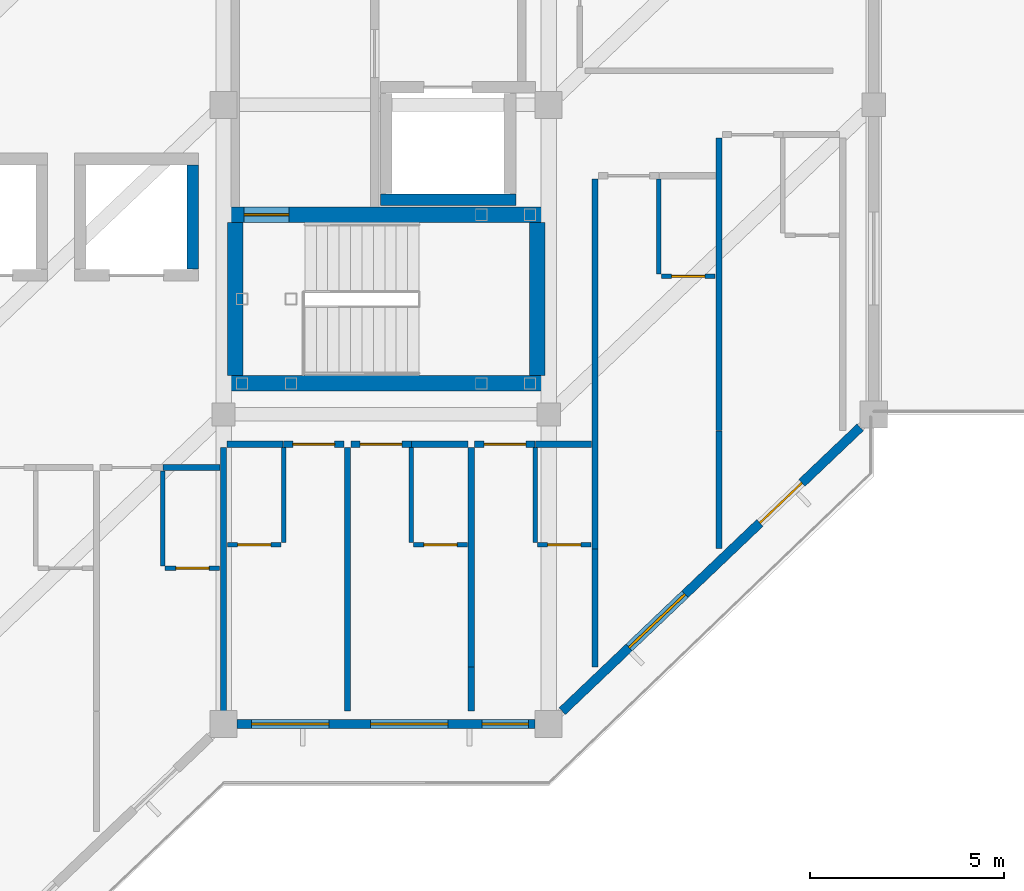
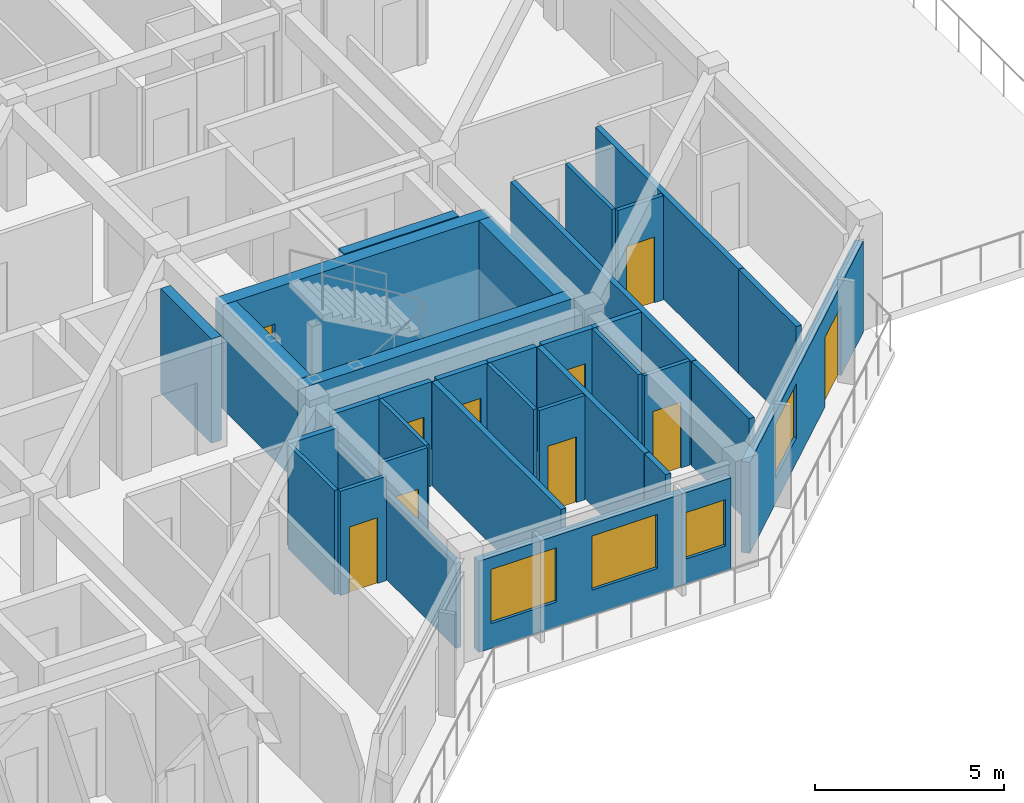
# One storey, part 9 of 15: 33 walls, 10 doors, 4 windows, 14 openings.
"""IFC4 building model written with IfcOpenShell, lengths in metres."""

from ifc_helpers import new_model, si_unit, direction, frame, frame_2d, origin, place, context, subcontext, project, spatial, rectangle, extrude, material, layer, layer_set, type_object, element, fill, save


model = new_model("IFC4")

# Units and contexts
model_context = context("Model", 3, precision=1e-05, world=origin(), true_north=direction((0.0, 1.0)))
body_context = subcontext(model_context, "Body", "Model", "MODEL_VIEW")
ifc_project = project(units=[si_unit("LENGTHUNIT", "METRE"), si_unit("AREAUNIT", "SQUARE_METRE"), si_unit("VOLUMEUNIT", "CUBIC_METRE"), si_unit("PLANEANGLEUNIT", "RADIAN"), si_unit("MASSUNIT", "GRAM", prefix="KILO")], contexts=[model_context])

# Site, building, storey
site_placement = place(None, origin())
site = spatial("IfcSite", under=ifc_project, at=site_placement, CompositionType="ELEMENT")
building_placement = place(site_placement, origin())
building = spatial("IfcBuilding", under=site, at=building_placement, Name="Naruveol Harbour Congress Hotel", CompositionType="ELEMENT")
storey_placement = place(building_placement, frame((0.0, 0.0, 36.0)))
storey = spatial("IfcBuildingStorey", under=building, at=storey_placement, Name="L08", CompositionType="ELEMENT", Elevation=36.0)

# Wall
ifc_material_1 = material(Name="Moisture-Resistant Gypsum Partition", Category="gypsum")
ifc_layer_1 = layer(ifc_material_1, 0.114990234375)
ifc_layer_set_1 = layer_set([ifc_layer_1], Name="Moisture-Resistant Gypsum Partition")
wall_type_1 = type_object("IfcWallType", Name="BATHROOM MOISTURE PARTITION WALL 115", PredefinedType="PARTITIONING", material=ifc_layer_set_1)
wall_1_placement = place(storey_placement, frame((149.6298828125, 12.090087890625, 0.0), z_axis=(0.0, 0.0, 1.0), x_axis=(0.0, 1.0, 0.0)))
element("IfcWall", 1, at=wall_1_placement, inside=storey, type_object=wall_type_1, Name="Bathroom west wall 0930 PW-115", PredefinedType="PARTITIONING", context=body_context, shape_type="SweptSolid", body=[
    extrude(rectangle(XDim=2.449951171875, YDim=0.114990234375, at=frame_2d((1.22509765625, 0.0))), origin(), (0.0, 0.0, 1.0), 3.364990234375),
])

# Wall, opening, door
wall_2_placement = place(storey_placement, frame((149.68994140625, 12.030029296875, 0.0), z_axis=(0.0, 0.0, 1.0), x_axis=(1.0, 0.0, 0.0)))
wall_2 = element("IfcWall", 2, at=wall_2_placement, inside=storey, type_object=wall_type_1, Name="Bathroom south wall 0930 PW-115", PredefinedType="PARTITIONING", context=body_context, shape_type="SweptSolid", body=[
    extrude(rectangle(XDim=1.41015625, YDim=0.114990234375, at=frame_2d((0.705078125, 0.0))), origin(), (0.0, 0.0, 1.0), 3.364990234375),
])
opening_1_placement = place(wall_2_placement, frame((0.27490234375, 0.0, 0.0)))
opening_1 = element("IfcOpeningElement", 3, at=opening_1_placement, cuts=wall_2, Name="Opening BD-RM0930", PredefinedType="OPENING", context=body_context, shape_type="SweptSolid", body=[
    extrude(rectangle(XDim=0.860107421875, YDim=2.1201171875, at=frame_2d((0.43017578125, 1.06005859375))), frame((0.0, 0.0673828125, 0.0), z_axis=(0.0, -1.0, 0.0), x_axis=(1.0, 0.0, 0.0)), (0.0, 0.0, 1.0), 0.135009765625),
])
ifc_material_2 = material(Name="Timber & Steel Acoustic Leaf", Category="steel")
door_type_1 = type_object("IfcDoorType", Name="GUEST BATHROOM DOOR 860X2120", OperationType="NOTDEFINED", PredefinedType="DOOR", material=ifc_material_2)
door_1_placement = place(opening_1_placement, origin())
door_1 = element("IfcDoor", 4, at=door_1_placement, inside=storey, type_object=door_type_1, Name="Bathroom Door 0930", OperationType="SINGLE_SWING_RIGHT", OverallHeight=2.1201171875, OverallWidth=0.860107421875, PredefinedType="DOOR", context=body_context, shape_type="SweptSolid", body=[
    extrude(rectangle(XDim=0.860107421875, YDim=2.1201171875, at=frame_2d((0.43017578125, 1.06005859375))), frame((0.0, 0.02490234375, 0.0), z_axis=(0.0, -1.0, 0.0), x_axis=(1.0, 0.0, 0.0)), (0.0, 0.0, 1.0), 0.050048828125),
])
fill(opening_1, door_1)

# Wall
wall_3_placement = place(storey_placement, frame((152.75, 12.68994140625, 0.0), z_axis=(0.0, 0.0, 1.0), x_axis=(0.0, 1.0, 0.0)))
element("IfcWall", 5, at=wall_3_placement, inside=storey, type_object=wall_type_1, Name="Bathroom east wall 0931 PW-115", PredefinedType="PARTITIONING", context=body_context, shape_type="SweptSolid", body=[
    extrude(rectangle(XDim=2.449951171875, YDim=0.114990234375, at=frame_2d((1.22509765625, 0.0))), origin(), (0.0, 0.0, 1.0), 3.364990234375),
])

# Wall, opening, door
wall_4_placement = place(storey_placement, frame((151.300048828125, 12.6298828125, 0.0), z_axis=(0.0, 0.0, 1.0), x_axis=(1.0, 0.0, 0.0)))
wall_4 = element("IfcWall", 6, at=wall_4_placement, inside=storey, type_object=wall_type_1, Name="Bathroom south wall 0931 PW-115", PredefinedType="PARTITIONING", context=body_context, shape_type="SweptSolid", body=[
    extrude(rectangle(XDim=1.389892578125, YDim=0.114990234375, at=frame_2d((0.69482421875, 0.0))), origin(), (0.0, 0.0, 1.0), 3.364990234375),
])
opening_2_placement = place(wall_4_placement, frame((0.264892578125, 0.0, 0.0)))
opening_2 = element("IfcOpeningElement", 7, at=opening_2_placement, cuts=wall_4, Name="Opening BD-RM0931", PredefinedType="OPENING", context=body_context, shape_type="SweptSolid", body=[
    extrude(rectangle(XDim=0.860107421875, YDim=2.1201171875, at=frame_2d((0.43017578125, 1.06005859375))), frame((0.0, 0.0673828125, 0.0), z_axis=(0.0, -1.0, 0.0), x_axis=(1.0, 0.0, 0.0)), (0.0, 0.0, 1.0), 0.135009765625),
])
door_2_placement = place(opening_2_placement, origin())
door_2 = element("IfcDoor", 8, at=door_2_placement, inside=storey, type_object=door_type_1, Name="Bathroom Door 0931", OperationType="SINGLE_SWING_RIGHT", OverallHeight=2.1201171875, OverallWidth=0.860107421875, PredefinedType="DOOR", context=body_context, shape_type="SweptSolid", body=[
    extrude(rectangle(XDim=0.860107421875, YDim=2.1201171875, at=frame_2d((0.43017578125, 1.06005859375))), frame((0.0, 0.02490234375, 0.0), z_axis=(0.0, -1.0, 0.0), x_axis=(1.0, 0.0, 0.0)), (0.0, 0.0, 1.0), 0.050048828125),
])
fill(opening_2, door_2)

# Wall
wall_5_placement = place(storey_placement, frame((156.050048828125, 12.68994140625, 0.0), z_axis=(0.0, 0.0, 1.0), x_axis=(0.0, 1.0, 0.0)))
element("IfcWall", 9, at=wall_5_placement, inside=storey, type_object=wall_type_1, Name="Bathroom west wall 0932 PW-115", PredefinedType="PARTITIONING", context=body_context, shape_type="SweptSolid", body=[
    extrude(rectangle(XDim=2.449951171875, YDim=0.114990234375, at=frame_2d((1.22509765625, 0.0))), origin(), (0.0, 0.0, 1.0), 3.364990234375),
])

# Wall, opening, door
wall_6_placement = place(storey_placement, frame((156.110107421875, 12.6298828125, 0.0), z_axis=(0.0, 0.0, 1.0), x_axis=(1.0, 0.0, 0.0)))
wall_6 = element("IfcWall", 10, at=wall_6_placement, inside=storey, type_object=wall_type_1, Name="Bathroom south wall 0932 PW-115", PredefinedType="PARTITIONING", context=body_context, shape_type="SweptSolid", body=[
    extrude(rectangle(XDim=1.389892578125, YDim=0.114990234375, at=frame_2d((0.69482421875, 0.0))), origin(), (0.0, 0.0, 1.0), 3.364990234375),
])
opening_3_placement = place(wall_6_placement, frame((0.264892578125, 0.0, 0.0)))
opening_3 = element("IfcOpeningElement", 11, at=opening_3_placement, cuts=wall_6, Name="Opening BD-RM0932", PredefinedType="OPENING", context=body_context, shape_type="SweptSolid", body=[
    extrude(rectangle(XDim=0.860107421875, YDim=2.1201171875, at=frame_2d((0.43017578125, 1.06005859375))), frame((0.0, 0.0673828125, 0.0), z_axis=(0.0, -1.0, 0.0), x_axis=(1.0, 0.0, 0.0)), (0.0, 0.0, 1.0), 0.135009765625),
])
door_3_placement = place(opening_3_placement, origin())
door_3 = element("IfcDoor", 12, at=door_3_placement, inside=storey, type_object=door_type_1, Name="Bathroom Door 0932", OperationType="SINGLE_SWING_RIGHT", OverallHeight=2.1201171875, OverallWidth=0.860107421875, PredefinedType="DOOR", context=body_context, shape_type="SweptSolid", body=[
    extrude(rectangle(XDim=0.860107421875, YDim=2.1201171875, at=frame_2d((0.43017578125, 1.06005859375))), frame((0.0, 0.02490234375, 0.0), z_axis=(0.0, -1.0, 0.0), x_axis=(1.0, 0.0, 0.0)), (0.0, 0.0, 1.0), 0.050048828125),
])
fill(opening_3, door_3)

# Wall
wall_7_placement = place(storey_placement, frame((159.25, 12.68994140625, 0.0), z_axis=(0.0, 0.0, 1.0), x_axis=(0.0, 1.0, 0.0)))
element("IfcWall", 13, at=wall_7_placement, inside=storey, type_object=wall_type_1, Name="Bathroom west wall 0933 PW-115", PredefinedType="PARTITIONING", context=body_context, shape_type="SweptSolid", body=[
    extrude(rectangle(XDim=2.449951171875, YDim=0.114990234375, at=frame_2d((1.22509765625, 0.0))), origin(), (0.0, 0.0, 1.0), 3.364990234375),
])

# Wall, opening, door
wall_8_placement = place(storey_placement, frame((159.31005859375, 12.6298828125, 0.0), z_axis=(0.0, 0.0, 1.0), x_axis=(1.0, 0.0, 0.0)))
wall_8 = element("IfcWall", 14, at=wall_8_placement, inside=storey, type_object=wall_type_1, Name="Bathroom south wall 0933 PW-115", PredefinedType="PARTITIONING", context=body_context, shape_type="SweptSolid", body=[
    extrude(rectangle(XDim=1.389892578125, YDim=0.114990234375, at=frame_2d((0.69482421875, 0.0))), origin(), (0.0, 0.0, 1.0), 3.364990234375),
])
opening_4_placement = place(wall_8_placement, frame((0.264892578125, 0.0, 0.0)))
opening_4 = element("IfcOpeningElement", 15, at=opening_4_placement, cuts=wall_8, Name="Opening BD-RM0933", PredefinedType="OPENING", context=body_context, shape_type="SweptSolid", body=[
    extrude(rectangle(XDim=0.860107421875, YDim=2.1201171875, at=frame_2d((0.43017578125, 1.06005859375))), frame((0.0, 0.0673828125, 0.0), z_axis=(0.0, -1.0, 0.0), x_axis=(1.0, 0.0, 0.0)), (0.0, 0.0, 1.0), 0.135009765625),
])
door_4_placement = place(opening_4_placement, origin())
door_4 = element("IfcDoor", 16, at=door_4_placement, inside=storey, type_object=door_type_1, Name="Bathroom Door 0933", OperationType="SINGLE_SWING_RIGHT", OverallHeight=2.1201171875, OverallWidth=0.860107421875, PredefinedType="DOOR", context=body_context, shape_type="SweptSolid", body=[
    extrude(rectangle(XDim=0.860107421875, YDim=2.1201171875, at=frame_2d((0.43017578125, 1.06005859375))), frame((0.0, 0.02490234375, 0.0), z_axis=(0.0, -1.0, 0.0), x_axis=(1.0, 0.0, 0.0)), (0.0, 0.0, 1.0), 0.050048828125),
])
fill(opening_4, door_4)

# Wall
wall_9_placement = place(storey_placement, frame((162.449951171875, 19.6298828125, 0.0), z_axis=(0.0, 0.0, 1.0), x_axis=(0.0, 1.0, 0.0)))
element("IfcWall", 17, at=wall_9_placement, inside=storey, type_object=wall_type_1, Name="Bathroom west wall 0934 PW-115", PredefinedType="PARTITIONING", context=body_context, shape_type="SweptSolid", body=[
    extrude(rectangle(XDim=2.4501953125, YDim=0.114990234375, at=frame_2d((1.22509765625, 0.0))), origin(), (0.0, 0.0, 1.0), 3.364990234375),
])

# Wall, opening, door
wall_10_placement = place(storey_placement, frame((162.510009765625, 19.570068359375, 0.0), z_axis=(0.0, 0.0, 1.0), x_axis=(1.0, 0.0, 0.0)))
wall_10 = element("IfcWall", 18, at=wall_10_placement, inside=storey, type_object=wall_type_1, Name="Bathroom south wall 0934 PW-115", PredefinedType="PARTITIONING", context=body_context, shape_type="SweptSolid", body=[
    extrude(rectangle(XDim=1.389892578125, YDim=0.114990234375, at=frame_2d((0.69482421875, 0.0))), origin(), (0.0, 0.0, 1.0), 3.364990234375),
])
opening_5_placement = place(wall_10_placement, frame((0.264892578125, 0.0, 0.0)))
opening_5 = element("IfcOpeningElement", 19, at=opening_5_placement, cuts=wall_10, Name="Opening BD-RM0934", PredefinedType="OPENING", context=body_context, shape_type="SweptSolid", body=[
    extrude(rectangle(XDim=0.860107421875, YDim=2.1201171875, at=frame_2d((0.43017578125, 1.06005859375))), frame((0.0, 0.0673828125, 0.0), z_axis=(0.0, -1.0, 0.0), x_axis=(1.0, 0.0, 0.0)), (0.0, 0.0, 1.0), 0.135009765625),
])
door_5_placement = place(opening_5_placement, origin())
door_5 = element("IfcDoor", 20, at=door_5_placement, inside=storey, type_object=door_type_1, Name="Bathroom Door 0934", OperationType="SINGLE_SWING_RIGHT", OverallHeight=2.1201171875, OverallWidth=0.860107421875, PredefinedType="DOOR", context=body_context, shape_type="SweptSolid", body=[
    extrude(rectangle(XDim=0.860107421875, YDim=2.1201171875, at=frame_2d((0.43017578125, 1.06005859375))), frame((0.0, 0.02490234375, 0.0), z_axis=(0.0, -1.0, 0.0), x_axis=(1.0, 0.0, 0.0)), (0.0, 0.0, 1.0), 0.050048828125),
])
fill(opening_5, door_5)

# Walls
ifc_material_3 = material(Name="Autoclaved Aerated Concrete Block", Category="concrete")
ifc_layer_2 = layer(ifc_material_3, 0.159912109375)
ifc_layer_set_2 = layer_set([ifc_layer_2], Name="Autoclaved Aerated Concrete Block")
wall_type_2 = type_object("IfcWallType", Name="HOTEL PARTY AND CORRIDOR WALL 160 EI60", PredefinedType="PARTITIONING", material=ifc_layer_set_2)
wall_11_placement = place(storey_placement, frame((149.639892578125, 14.6298828125, 0.0), z_axis=(0.0, 0.0, 1.0), x_axis=(1.0, 0.0, 0.0)))
element("IfcWall", 21, at=wall_11_placement, inside=storey, type_object=wall_type_2, Name="Corridor wall 0930B PW-160", PredefinedType="PARTITIONING", context=body_context, shape_type="SweptSolid", body=[
    extrude(rectangle(XDim=1.47021484375, YDim=0.159912109375, at=frame_2d((0.735107421875, 0.0))), origin(), (0.0, 0.0, 1.0), 3.364990234375),
])
wall_12_placement = place(storey_placement, frame((151.2900390625, 15.22998046875, 0.0), z_axis=(0.0, 0.0, 1.0), x_axis=(1.0, 0.0, 0.0)))
element("IfcWall", 22, at=wall_12_placement, inside=storey, type_object=wall_type_2, Name="Corridor wall 0931B PW-160", PredefinedType="PARTITIONING", context=body_context, shape_type="SweptSolid", body=[
    extrude(rectangle(XDim=1.449951171875, YDim=0.159912109375, at=frame_2d((0.72509765625, 0.0))), origin(), (0.0, 0.0, 1.0), 3.364990234375),
])

# Wall, opening, door
wall_13_placement = place(storey_placement, frame((152.75, 15.22998046875, 0.0), z_axis=(0.0, 0.0, 1.0), x_axis=(1.0, 0.0, 0.0)))
wall_13 = element("IfcWall", 23, at=wall_13_placement, inside=storey, type_object=wall_type_2, Name="Corridor entry wall 0931 PW-160", PredefinedType="PARTITIONING", context=body_context, shape_type="SweptSolid", body=[
    extrude(rectangle(XDim=1.56005859375, YDim=0.159912109375, at=frame_2d((0.780029296875, 0.0))), origin(), (0.0, 0.0, 1.0), 3.364990234375),
])
opening_6_placement = place(wall_13_placement, frame((0.239990234375, 0.0, 0.0)))
opening_6 = element("IfcOpeningElement", 24, at=opening_6_placement, cuts=wall_13, Name="Opening FD-RM0931", PredefinedType="OPENING", context=body_context, shape_type="SweptSolid", body=[
    extrude(rectangle(XDim=1.080078125, YDim=2.300048828125, at=frame_2d((0.5400390625, 1.14990234375))), frame((0.0, 0.08984375, 0.0), z_axis=(0.0, -1.0, 0.0), x_axis=(1.0, 0.0, 0.0)), (0.0, 0.0, 1.0), 0.179931640625),
])
ifc_material_4 = material(Name="Timber & Steel Acoustic Leaf", Category="steel")
door_type_2 = type_object("IfcDoorType", Name="SUITE ENTRANCE FIRE DOOR 1080X2300", OperationType="NOTDEFINED", PredefinedType="DOOR", material=ifc_material_4)
door_6_placement = place(opening_6_placement, origin())
door_6 = element("IfcDoor", 25, at=door_6_placement, inside=storey, type_object=door_type_2, Name="Hotel Room Door 0931", OperationType="SINGLE_SWING_LEFT", OverallHeight=2.300048828125, OverallWidth=1.080078125, PredefinedType="DOOR", context=body_context, shape_type="SweptSolid", body=[
    extrude(rectangle(XDim=1.080078125, YDim=2.300048828125, at=frame_2d((0.5400390625, 1.14990234375))), frame((0.0, 0.02490234375, 0.0), z_axis=(0.0, -1.0, 0.0), x_axis=(1.0, 0.0, 0.0)), (0.0, 0.0, 1.0), 0.050048828125),
])
fill(opening_6, door_6)

# Wall
wall_14_placement = place(storey_placement, frame((151.199951171875, 8.340087890625, 0.0), z_axis=(0.0, 0.0, 1.0), x_axis=(0.0, 1.0, 0.0)))
element("IfcWall", 26, at=wall_14_placement, inside=storey, type_object=wall_type_2, Name="Hotel party wall 0931 PW-160", PredefinedType="PARTITIONING", context=body_context, shape_type="SweptSolid", body=[
    extrude(rectangle(XDim=6.7998046875, YDim=0.159912109375, at=frame_2d((3.39990234375, 0.0))), origin(), (0.0, 0.0, 1.0), 2.739990234375),
])

# Wall, opening, door
wall_15_placement = place(storey_placement, frame((154.489990234375, 15.22998046875, 0.0), z_axis=(0.0, 0.0, 1.0), x_axis=(1.0, 0.0, 0.0)))
wall_15 = element("IfcWall", 27, at=wall_15_placement, inside=storey, type_object=wall_type_2, Name="Corridor entry wall 0932 PW-160", PredefinedType="PARTITIONING", context=body_context, shape_type="SweptSolid", body=[
    extrude(rectangle(XDim=1.56005859375, YDim=0.159912109375, at=frame_2d((0.780029296875, 0.0))), origin(), (0.0, 0.0, 1.0), 3.364990234375),
])
opening_7_placement = place(wall_15_placement, frame((0.239990234375, 0.0, 0.0)))
opening_7 = element("IfcOpeningElement", 28, at=opening_7_placement, cuts=wall_15, Name="Opening FD-RM0932", PredefinedType="OPENING", context=body_context, shape_type="SweptSolid", body=[
    extrude(rectangle(XDim=1.080078125, YDim=2.300048828125, at=frame_2d((0.5400390625, 1.14990234375))), frame((0.0, 0.08984375, 0.0), z_axis=(0.0, -1.0, 0.0), x_axis=(1.0, 0.0, 0.0)), (0.0, 0.0, 1.0), 0.179931640625),
])
door_7_placement = place(opening_7_placement, origin())
door_7 = element("IfcDoor", 29, at=door_7_placement, inside=storey, type_object=door_type_2, Name="Hotel Room Door 0932", OperationType="SINGLE_SWING_LEFT", OverallHeight=2.300048828125, OverallWidth=1.080078125, PredefinedType="DOOR", context=body_context, shape_type="SweptSolid", body=[
    extrude(rectangle(XDim=1.080078125, YDim=2.300048828125, at=frame_2d((0.5400390625, 1.14990234375))), frame((0.0, 0.02490234375, 0.0), z_axis=(0.0, -1.0, 0.0), x_axis=(1.0, 0.0, 0.0)), (0.0, 0.0, 1.0), 0.050048828125),
])
fill(opening_7, door_7)

# Walls
wall_16_placement = place(storey_placement, frame((156.06005859375, 15.22998046875, 0.0), z_axis=(0.0, 0.0, 1.0), x_axis=(1.0, 0.0, 0.0)))
element("IfcWall", 30, at=wall_16_placement, inside=storey, type_object=wall_type_2, Name="Corridor wall 0932B PW-160", PredefinedType="PARTITIONING", context=body_context, shape_type="SweptSolid", body=[
    extrude(rectangle(XDim=1.449951171875, YDim=0.159912109375, at=frame_2d((0.72509765625, 0.0))), origin(), (0.0, 0.0, 1.0), 3.364990234375),
])
wall_17_placement = place(storey_placement, frame((154.39990234375, 8.340087890625, 0.0), z_axis=(0.0, 0.0, 1.0), x_axis=(0.0, 1.0, 0.0)))
element("IfcWall", 31, at=wall_17_placement, inside=storey, type_object=wall_type_2, Name="Hotel party wall 0932 PW-160", PredefinedType="PARTITIONING", context=body_context, shape_type="SweptSolid", body=[
    extrude(rectangle(XDim=6.7998046875, YDim=0.159912109375, at=frame_2d((3.39990234375, 0.0))), origin(), (0.0, 0.0, 1.0), 3.364990234375),
])
wall_18_placement = place(storey_placement, frame((157.60009765625, 8.340087890625, 0.0), z_axis=(0.0, 0.0, 1.0), x_axis=(0.0, 1.0, 0.0)))
element("IfcWall", 32, at=wall_18_placement, inside=storey, type_object=wall_type_2, Name="Hotel end party wall 0932 PW-160", PredefinedType="PARTITIONING", context=body_context, shape_type="SweptSolid", body=[
    extrude(rectangle(XDim=1.1298828125, YDim=0.159912109375, at=frame_2d((0.56494140625, 0.0))), origin(), (0.0, 0.0, 1.0), 3.364990234375),
])

# Wall, opening, door
wall_19_placement = place(storey_placement, frame((157.68994140625, 15.22998046875, 0.0), z_axis=(0.0, 0.0, 1.0), x_axis=(1.0, 0.0, 0.0)))
wall_19 = element("IfcWall", 33, at=wall_19_placement, inside=storey, type_object=wall_type_2, Name="Corridor entry wall 0933 PW-160", PredefinedType="PARTITIONING", context=body_context, shape_type="SweptSolid", body=[
    extrude(rectangle(XDim=1.56005859375, YDim=0.159912109375, at=frame_2d((0.780029296875, 0.0))), origin(), (0.0, 0.0, 1.0), 3.364990234375),
])
opening_8_placement = place(wall_19_placement, frame((0.239990234375, 0.0, 0.0)))
opening_8 = element("IfcOpeningElement", 34, at=opening_8_placement, cuts=wall_19, Name="Opening FD-RM0933", PredefinedType="OPENING", context=body_context, shape_type="SweptSolid", body=[
    extrude(rectangle(XDim=1.080078125, YDim=2.300048828125, at=frame_2d((0.5400390625, 1.14990234375))), frame((0.0, 0.08984375, 0.0), z_axis=(0.0, -1.0, 0.0), x_axis=(1.0, 0.0, 0.0)), (0.0, 0.0, 1.0), 0.179931640625),
])
door_8_placement = place(opening_8_placement, origin())
door_8 = element("IfcDoor", 35, at=door_8_placement, inside=storey, type_object=door_type_2, Name="Hotel Room Door 0933", OperationType="SINGLE_SWING_LEFT", OverallHeight=2.300048828125, OverallWidth=1.080078125, PredefinedType="DOOR", context=body_context, shape_type="SweptSolid", body=[
    extrude(rectangle(XDim=1.080078125, YDim=2.300048828125, at=frame_2d((0.5400390625, 1.14990234375))), frame((0.0, 0.02490234375, 0.0), z_axis=(0.0, -1.0, 0.0), x_axis=(1.0, 0.0, 0.0)), (0.0, 0.0, 1.0), 0.050048828125),
])
fill(opening_8, door_8)

# Walls
wall_20_placement = place(storey_placement, frame((159.260009765625, 15.22998046875, 0.0), z_axis=(0.0, 0.0, 1.0), x_axis=(1.0, 0.0, 0.0)))
element("IfcWall", 36, at=wall_20_placement, inside=storey, type_object=wall_type_2, Name="Corridor wall 0933B PW-160", PredefinedType="PARTITIONING", context=body_context, shape_type="SweptSolid", body=[
    extrude(rectangle(XDim=1.449951171875, YDim=0.159912109375, at=frame_2d((0.72509765625, 0.0))), origin(), (0.0, 0.0, 1.0), 3.364990234375),
])
wall_21_placement = place(storey_placement, frame((157.60009765625, 9.47998046875, 0.0), z_axis=(0.0, 0.0, 1.0), x_axis=(0.0, 1.0, 0.0)))
element("IfcWall", 37, at=wall_21_placement, inside=storey, type_object=wall_type_2, Name="Hotel party wall 0933 PW-160", PredefinedType="PARTITIONING", context=body_context, shape_type="SweptSolid", body=[
    extrude(rectangle(XDim=5.659912109375, YDim=0.159912109375, at=frame_2d((2.830078125, 0.0))), origin(), (0.0, 0.0, 1.0), 3.364990234375),
])
wall_22_placement = place(storey_placement, frame((160.800048828125, 9.47998046875, 0.0), z_axis=(0.0, 0.0, 1.0), x_axis=(0.0, 1.0, 0.0)))
element("IfcWall", 38, at=wall_22_placement, inside=storey, type_object=wall_type_2, Name="Hotel end party wall 0933 PW-160", PredefinedType="PARTITIONING", context=body_context, shape_type="SweptSolid", body=[
    extrude(rectangle(XDim=3.0400390625, YDim=0.159912109375, at=frame_2d((1.52001953125, 0.0))), origin(), (0.0, 0.0, 1.0), 3.364990234375),
])
wall_23_placement = place(storey_placement, frame((160.800048828125, 12.530029296875, 0.0), z_axis=(0.0, 0.0, 1.0), x_axis=(0.0, 1.0, 0.0)))
element("IfcWall", 39, at=wall_23_placement, inside=storey, type_object=wall_type_2, Name="Hotel party wall 0934 PW-160", PredefinedType="PARTITIONING", context=body_context, shape_type="SweptSolid", body=[
    extrude(rectangle(XDim=9.550048828125, YDim=0.159912109375, at=frame_2d((4.77490234375, 0.0))), origin(), (0.0, 0.0, 1.0), 3.364990234375),
])
wall_24_placement = place(storey_placement, frame((164.0, 12.530029296875, 0.0), z_axis=(0.0, 0.0, 1.0), x_axis=(0.0, 1.0, 0.0)))
element("IfcWall", 40, at=wall_24_placement, inside=storey, type_object=wall_type_2, Name="Hotel end party wall 0934 PW-160", PredefinedType="PARTITIONING", context=body_context, shape_type="SweptSolid", body=[
    extrude(rectangle(XDim=3.0400390625, YDim=0.159912109375, at=frame_2d((1.52001953125, 0.0))), origin(), (0.0, 0.0, 1.0), 3.364990234375),
])
wall_25_placement = place(storey_placement, frame((164.0, 15.580078125, 0.0), z_axis=(0.0, 0.0, 1.0), x_axis=(0.0, 1.0, 0.0)))
element("IfcWall", 41, at=wall_25_placement, inside=storey, type_object=wall_type_2, Name="Hotel party wall 0935 PW-160", PredefinedType="PARTITIONING", context=body_context, shape_type="SweptSolid", body=[
    extrude(rectangle(XDim=7.559814453125, YDim=0.159912109375, at=frame_2d((3.77978515625, 0.0))), origin(), (0.0, 0.0, 1.0), 3.364990234375),
])

# Wall, openings, windows
ifc_material_5 = material(Name="Concrete C40/50", Category="concrete")
ifc_layer_3 = layer(ifc_material_5, 0.239990234375)
ifc_layer_set_3 = layer_set([ifc_layer_3], Name="Concrete C40/50")
wall_type_3 = type_object("IfcWallType", Name="INSULATED HOTEL SPANDREL WALL 240", PredefinedType="SOLIDWALL", material=ifc_layer_set_3)
wall_26_placement = place(storey_placement, frame((159.25, 8.0, 0.0), z_axis=(0.0, 0.0, 1.0), x_axis=(-1.0, 0.0, 0.0)))
wall_26 = element("IfcWall", 42, at=wall_26_placement, inside=storey, type_object=wall_type_3, Name="Hotel south waterfront wall L08 EW-240", PredefinedType="SOLIDWALL", context=body_context, shape_type="SweptSolid", body=[
    extrude(rectangle(XDim=7.699951171875, YDim=0.239990234375, at=frame_2d((3.85009765625, 0.0))), origin(), (0.0, 0.0, 1.0), 2.93994140625),
])
opening_9_placement = place(wall_26_placement, frame((0.175048828125, 0.0, 0.800048828125)))
opening_9 = element("IfcOpeningElement", 43, at=opening_9_placement, cuts=wall_26, Name="Opening W-01", PredefinedType="OPENING", context=body_context, shape_type="SweptSolid", body=[
    extrude(rectangle(XDim=1.199951171875, YDim=1.5, at=frame_2d((0.60009765625, 0.75))), frame((0.0, 0.1298828125, 0.0), z_axis=(0.0, -1.0, 0.0), x_axis=(1.0, 0.0, 0.0)), (0.0, 0.0, 1.0), 0.260009765625),
])
opening_10_placement = place(wall_26_placement, frame((2.25, 0.0, 0.800048828125)))
opening_10 = element("IfcOpeningElement", 44, at=opening_10_placement, cuts=wall_26, Name="Opening W-05", PredefinedType="OPENING", context=body_context, shape_type="SweptSolid", body=[
    extrude(rectangle(XDim=2.0, YDim=1.75, at=frame_2d((1.0, 0.875))), frame((0.0, 0.1298828125, 0.0), z_axis=(0.0, -1.0, 0.0), x_axis=(1.0, 0.0, 0.0)), (0.0, 0.0, 1.0), 0.260009765625),
])
opening_11_placement = place(wall_26_placement, frame((5.324951171875, 0.0, 0.800048828125)))
opening_11 = element("IfcOpeningElement", 45, at=opening_11_placement, cuts=wall_26, Name="Opening W-05", PredefinedType="OPENING", context=body_context, shape_type="SweptSolid", body=[
    extrude(rectangle(XDim=2.0, YDim=1.75, at=frame_2d((1.0, 0.875))), frame((0.0, 0.1298828125, 0.0), z_axis=(0.0, -1.0, 0.0), x_axis=(1.0, 0.0, 0.0)), (0.0, 0.0, 1.0), 0.260009765625),
])
ifc_material_6 = material(Name="Low-E Triple Glazing in Thermal Aluminium", Category="aluminium")
window_type_1 = type_object("IfcWindowType", Name="GARDEN SUITE WINDOW 2000X1750", PartitioningType="DOUBLE_PANEL_VERTICAL", PredefinedType="WINDOW", material=ifc_material_6)
window_1_placement = place(opening_10_placement, origin())
window_1 = element("IfcWindow", 46, at=window_1_placement, inside=storey, type_object=window_type_1, Name="Window W-05 #432", OverallHeight=1.75, OverallWidth=2.0, PartitioningType="DOUBLE_PANEL_VERTICAL", PredefinedType="WINDOW", context=body_context, shape_type="SweptSolid", body=[
    extrude(rectangle(XDim=2.0, YDim=1.75, at=frame_2d((1.0, 0.875))), frame((0.0, 0.030029296875, 0.0), z_axis=(0.0, -1.0, 0.0), x_axis=(1.0, 0.0, 0.0)), (0.0, 0.0, 1.0), 0.06005859375),
])
fill(opening_10, window_1)
window_2_placement = place(opening_11_placement, origin())
window_2 = element("IfcWindow", 47, at=window_2_placement, inside=storey, type_object=window_type_1, Name="Window W-05 #433", OverallHeight=1.75, OverallWidth=2.0, PartitioningType="DOUBLE_PANEL_VERTICAL", PredefinedType="WINDOW", context=body_context, shape_type="SweptSolid", body=[
    extrude(rectangle(XDim=2.0, YDim=1.75, at=frame_2d((1.0, 0.875))), frame((0.0, 0.030029296875, 0.0), z_axis=(0.0, -1.0, 0.0), x_axis=(1.0, 0.0, 0.0)), (0.0, 0.0, 1.0), 0.06005859375),
])
fill(opening_11, window_2)
ifc_material_7 = material(Name="Low-E Triple Glazing in Thermal Aluminium", Category="aluminium")
window_type_2 = type_object("IfcWindowType", Name="GUEST ROOM PUNCH WINDOW 1200X1500", PartitioningType="SINGLE_PANEL", PredefinedType="WINDOW", material=ifc_material_7)
window_3_placement = place(opening_9_placement, origin())
window_3 = element("IfcWindow", 48, at=window_3_placement, inside=storey, type_object=window_type_2, Name="Window W-01 #431", OverallHeight=1.5, OverallWidth=1.199951171875, PartitioningType="SINGLE_PANEL", PredefinedType="WINDOW", context=body_context, shape_type="SweptSolid", body=[
    extrude(rectangle(XDim=1.199951171875, YDim=1.5, at=frame_2d((0.60009765625, 0.75))), frame((0.0, 0.030029296875, 0.0), z_axis=(0.0, -1.0, 0.0), x_axis=(1.0, 0.0, 0.0)), (0.0, 0.0, 1.0), 0.06005859375),
])
fill(opening_9, window_3)

# Wall, openings, window, door
wall_27_placement = place(storey_placement, frame((167.64990234375, 15.6669921875, 0.0), z_axis=(0.0, 0.0, 1.0), x_axis=(-0.724105170588, -0.689689569247, 0.0)))
wall_27 = element("IfcWall", 49, at=wall_27_placement, inside=storey, type_object=wall_type_3, Name="Hotel south waterfront wall L08 EW-240", PredefinedType="SOLIDWALL", context=body_context, shape_type="SweptSolid", body=[
    extrude(rectangle(XDim=10.6337890625, YDim=0.239990234375, at=frame_2d((5.31689453125, 0.0))), origin(), (0.0, 0.0, 1.0), 2.93994140625),
])
opening_12_placement = place(wall_27_placement, frame((2.0810546875, 0.0, 0.0)))
opening_12 = element("IfcOpeningElement", 50, at=opening_12_placement, cuts=wall_27, Name="Opening BD-150-065", PredefinedType="OPENING", context=body_context, shape_type="SweptSolid", body=[
    extrude(rectangle(XDim=1.5, YDim=2.25, at=frame_2d((0.75, 1.125))), frame((0.0, 0.1298828125, 0.0), z_axis=(0.0, -1.0, 0.0), x_axis=(1.0, 0.0, 0.0)), (0.0, 0.0, 1.0), 0.260009765625),
])
opening_13_placement = place(wall_27_placement, frame((6.25, 0.0, 0.800048828125)))
opening_13 = element("IfcOpeningElement", 51, at=opening_13_placement, cuts=wall_27, Name="Opening W-05", PredefinedType="OPENING", context=body_context, shape_type="SweptSolid", body=[
    extrude(rectangle(XDim=2.0, YDim=1.75, at=frame_2d((1.0, 0.875))), frame((0.0, 0.1298828125, 0.0), z_axis=(0.0, -1.0, 0.0), x_axis=(1.0, 0.0, 0.0)), (0.0, 0.0, 1.0), 0.260009765625),
])
window_4_placement = place(opening_13_placement, origin())
window_4 = element("IfcWindow", 52, at=window_4_placement, inside=storey, type_object=window_type_1, Name="Window W-05 #437", OverallHeight=1.75, OverallWidth=2.0, PartitioningType="DOUBLE_PANEL_VERTICAL", PredefinedType="WINDOW", context=body_context, shape_type="SweptSolid", body=[
    extrude(rectangle(XDim=2.0, YDim=1.75, at=frame_2d((1.0, 0.875))), frame((0.0, 0.030029296875, 0.0), z_axis=(0.0, -1.0, 0.0), x_axis=(1.0, 0.0, 0.0)), (0.0, 0.0, 1.0), 0.06005859375),
])
fill(opening_13, window_4)
ifc_material_8 = material(Name="Powder-Coated Steel & Insulated Glazing", Category="steel")
door_type_3 = type_object("IfcDoorType", Name="SUITE BALCONY SLIDING DOOR 1500X2250", OperationType="SLIDING_TO_LEFT", PredefinedType="DOOR", material=ifc_material_8)
door_9_placement = place(opening_12_placement, origin())
door_9 = element("IfcDoor", 53, at=door_9_placement, inside=storey, type_object=door_type_3, Name="Exterior door BD-150-065", OperationType="SLIDING_TO_LEFT", OverallHeight=2.25, OverallWidth=1.5, PredefinedType="DOOR", context=body_context, shape_type="SweptSolid", body=[
    extrude(rectangle(XDim=1.5, YDim=2.25, at=frame_2d((0.75, 1.125))), frame((0.0, 0.02490234375, 0.0), z_axis=(0.0, -1.0, 0.0), x_axis=(1.0, 0.0, 0.0)), (0.0, 0.0, 1.0), 0.050048828125),
])
fill(opening_12, door_9)

# Walls
ifc_material_9 = material(Name="Concrete C50/60", Category="concrete")
ifc_layer_4 = layer(ifc_material_9, 0.39990234375)
ifc_layer_set_4 = layer_set([ifc_layer_4], Name="Concrete C50/60")
wall_type_4 = type_object("IfcWallType", Name="RC CORE SHEAR WALL 400 EI120", PredefinedType="SHEAR", material=ifc_layer_set_4)
wall_28_placement = place(storey_placement, frame((151.300048828125, 16.800048828125, 0.0), z_axis=(0.0, 0.0, 1.0), x_axis=(1.0, 0.0, 0.0)))
element("IfcWall", 54, at=wall_28_placement, inside=storey, type_object=wall_type_4, Name="Stair ST2 south core wall CW-400", PredefinedType="SHEAR", context=body_context, shape_type="SweptSolid", body=[
    extrude(rectangle(XDim=8.199951171875, YDim=0.39990234375, at=frame_2d((4.10009765625, 0.0))), origin(), (0.0, 0.0, 1.0), 3.364990234375),
])
wall_29_placement = place(storey_placement, frame((159.300048828125, 17.0048828125, 0.0), z_axis=(0.0, 0.0, 1.0), x_axis=(0.0, 1.0, 0.0)))
element("IfcWall", 55, at=wall_29_placement, inside=storey, type_object=wall_type_4, Name="Stair ST2 east core wall CW-400", PredefinedType="SHEAR", context=body_context, shape_type="SweptSolid", body=[
    extrude(rectangle(XDim=3.9501953125, YDim=0.39990234375, at=frame_2d((1.97509765625, 0.0))), origin(), (0.0, 0.0, 1.0), 3.364990234375),
])

# Wall, opening, door
wall_30_placement = place(storey_placement, frame((151.300048828125, 21.159912109375, 0.0), z_axis=(0.0, 0.0, 1.0), x_axis=(1.0, 0.0, 0.0)))
wall_30 = element("IfcWall", 56, at=wall_30_placement, inside=storey, type_object=wall_type_4, Name="Stair ST2 north core wall CW-400", PredefinedType="SHEAR", context=body_context, shape_type="SweptSolid", body=[
    extrude(rectangle(XDim=8.199951171875, YDim=0.39990234375, at=frame_2d((4.10009765625, 0.0))), origin(), (0.0, 0.0, 1.0), 3.364990234375),
])
opening_14_placement = place(wall_30_placement, frame((0.429931640625, 0.0, 0.0)))
opening_14 = element("IfcOpeningElement", 57, at=opening_14_placement, cuts=wall_30, Name="Opening FD-ST2-S-L08", PredefinedType="OPENING", context=body_context, shape_type="SweptSolid", body=[
    extrude(rectangle(XDim=1.159912109375, YDim=2.199951171875, at=frame_2d((0.580078125, 1.10009765625))), frame((0.0, 0.2099609375, 0.0), z_axis=(0.0, -1.0, 0.0), x_axis=(1.0, 0.0, 0.0)), (0.0, 0.0, 1.0), 0.419921875),
])
ifc_material_10 = material(Name="Timber & Steel Acoustic Leaf", Category="steel")
door_type_4 = type_object("IfcDoorType", Name="SPECIAL ESCAPE STAIR FIRE DOOR 1160X2200", OperationType="NOTDEFINED", PredefinedType="DOOR", material=ifc_material_10)
door_10_placement = place(opening_14_placement, origin())
door_10 = element("IfcDoor", 58, at=door_10_placement, inside=storey, type_object=door_type_4, Name="Special Escape Stair Door ST2 L08", OperationType="SINGLE_SWING_RIGHT", OverallHeight=2.199951171875, OverallWidth=1.159912109375, PredefinedType="DOOR", context=body_context, shape_type="SweptSolid", body=[
    extrude(rectangle(XDim=1.159912109375, YDim=2.199951171875, at=frame_2d((0.580078125, 1.10009765625))), frame((0.0, 0.02490234375, 0.0), z_axis=(0.0, -1.0, 0.0), x_axis=(1.0, 0.0, 0.0)), (0.0, 0.0, 1.0), 0.050048828125),
])
fill(opening_14, door_10)

# Walls
wall_31_placement = place(storey_placement, frame((151.5, 17.0048828125, 0.0), z_axis=(0.0, 0.0, 1.0), x_axis=(0.0, 1.0, 0.0)))
element("IfcWall", 59, at=wall_31_placement, inside=storey, type_object=wall_type_4, Name="Stair ST2 west core wall CW-400", PredefinedType="SHEAR", context=body_context, shape_type="SweptSolid", body=[
    extrude(rectangle(XDim=3.9501953125, YDim=0.39990234375, at=frame_2d((1.97509765625, 0.0))), origin(), (0.0, 0.0, 1.0), 3.364990234375),
])
ifc_material_11 = material(Name="Concrete C50/60", Category="concrete")
ifc_layer_5 = layer(ifc_material_11, 0.300048828125)
ifc_layer_set_5 = layer_set([ifc_layer_5], Name="Concrete C50/60")
wall_type_5 = type_object("IfcWallType", Name="RC STAIR AND HOISTWAY SHEAR WALL 300 EI120", PredefinedType="SHEAR", material=ifc_layer_set_5)
wall_32_placement = place(storey_placement, frame((155.25, 21.550048828125, 0.0), z_axis=(0.0, 0.0, 1.0), x_axis=(1.0, 0.0, 0.0)))
element("IfcWall", 60, at=wall_32_placement, inside=storey, type_object=wall_type_5, Name="Hoistway south shear wall FL2 SW-300", PredefinedType="SHEAR", context=body_context, shape_type="SweptSolid", body=[
    extrude(rectangle(XDim=3.5, YDim=0.300048828125, at=frame_2d((1.75, 0.0))), origin(), (0.0, 0.0, 1.0), 3.364990234375),
])
wall_33_placement = place(storey_placement, frame((150.39990234375, 19.7548828125, 0.0), z_axis=(0.0, 0.0, 1.0), x_axis=(0.0, 1.0, 0.0)))
element("IfcWall", 61, at=wall_33_placement, inside=storey, type_object=wall_type_5, Name="Hoistway east shear wall GL2 SW-300", PredefinedType="SHEAR", context=body_context, shape_type="SweptSolid", body=[
    extrude(rectangle(XDim=2.690185546875, YDim=0.300048828125, at=frame_2d((1.34521484375, 0.0))), origin(), (0.0, 0.0, 1.0), 3.364990234375),
])

save(model, "model.ifc")
